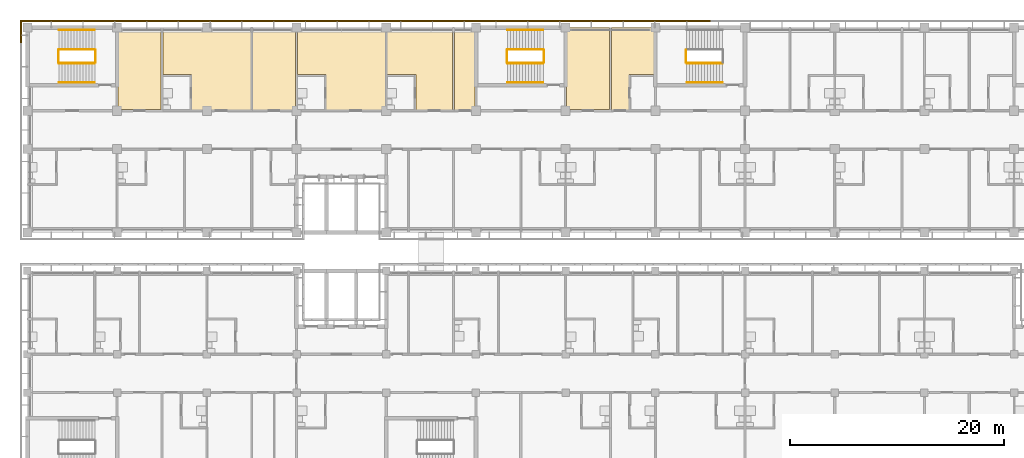
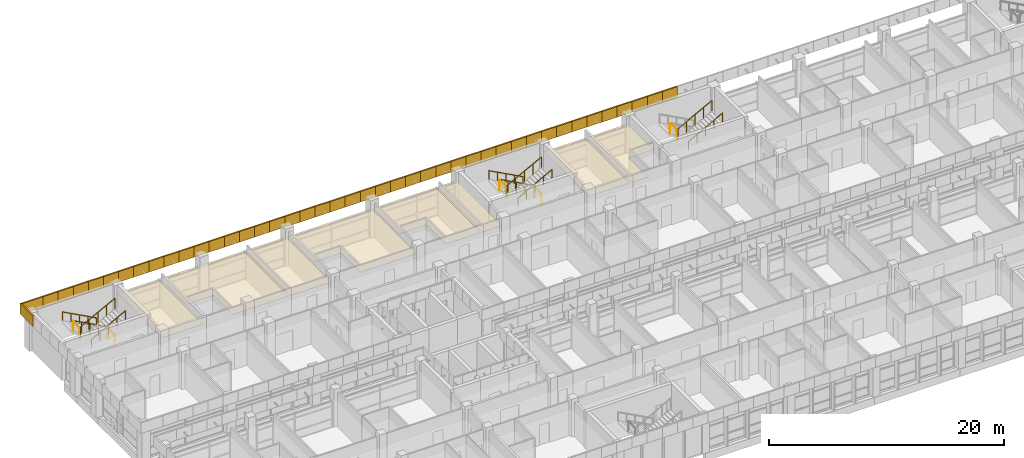
# One storey, part 71 of 74: 52 coverings, 15 railings.
"""IFC4 building model written with IfcOpenShell, lengths in metres."""

from ifc_helpers import new_model, si_unit, direction, frame, origin, origin_2d, place, context, subcontext, project, spatial, polyline, circle, outline, extrude, material, layer, layer_set, type_object, element, save


model = new_model("IFC4")

# Units and contexts
model_context = context("Model", 3, precision=1e-05, world=origin(), true_north=direction((0.0, 1.0)))
body_context = subcontext(model_context, "Body", "Model", "MODEL_VIEW")
ifc_project = project(units=[si_unit("LENGTHUNIT", "METRE"), si_unit("AREAUNIT", "SQUARE_METRE"), si_unit("VOLUMEUNIT", "CUBIC_METRE"), si_unit("PLANEANGLEUNIT", "RADIAN"), si_unit("MASSUNIT", "GRAM", prefix="KILO")], contexts=[model_context])

# Site, building, storey
site_placement = place(None, origin())
site = spatial("IfcSite", under=ifc_project, at=site_placement, CompositionType="ELEMENT")
building_placement = place(site_placement, origin())
building = spatial("IfcBuilding", under=site, at=building_placement, Name="Bougainvillea Quay General Hospital", CompositionType="ELEMENT")
storey_placement = place(building_placement, frame((0.0, 0.0, 21.0)))
storey = spatial("IfcBuildingStorey", under=building, at=storey_placement, Name="L04", CompositionType="ELEMENT", Elevation=21.0)

# Coverings
ifc_material_1 = material(Name="Powder-coated aluminium fascia, white", Category="aluminium")
ifc_layer_1 = layer(ifc_material_1, 0.14990234375)
ifc_layer_set_1 = layer_set([ifc_layer_1], Name="Powder-coated aluminium fascia, white")
covering_type_1 = type_object("IfcCoveringType", Name="Aluminium fascia band white 150x1100", PredefinedType="CLADDING", material=ifc_layer_set_1)
covering_1_placement = place(storey_placement, frame((105.96240234375, 160.14990234375, 3.35009765625), z_axis=(0.0, 0.0, 1.0), x_axis=(-1.0, 0.0, 0.0)))
element("IfcCovering", 1, at=covering_1_placement, inside=storey, type_object=covering_type_1, Name="Fascia band white e0 54", PredefinedType="CLADDING", context=body_context, shape_type="SweptSolid", body=[
    extrude(outline(polyline([(0.0, 0.0), (1.4873046875, 0.0), (1.4873046875, -0.150146484375), (0.0, -0.150146484375), (0.0, 0.0)])), origin(), (0.0, 0.0, 1.0), 1.10009765625),
])
for number, where, z_axis, x_axis, name in (
    (2, (104.47509765625, 160.14990234375, 3.35009765625), (0.0, 0.0, 1.0), (-1.0, 0.0, 0.0), "Fascia band white e0 55"),
    (3, (102.987548828125, 160.14990234375, 3.35009765625), (0.0, 0.0, 1.0), (-1.0, 0.0, 0.0), "Fascia band white e0 56"),
    (4, (101.5, 160.14990234375, 3.35009765625), (0.0, 0.0, 1.0), (-1.0, 0.0, 0.0), "Fascia band white e0 57"),
    (5, (100.012451171875, 160.14990234375, 3.35009765625), (0.0, 0.0, 1.0), (-1.0, 0.0, 0.0), "Fascia band white e0 58"),
):
    element("IfcCovering", number, at=place(storey_placement, frame(where, z_axis=z_axis, x_axis=x_axis)), inside=storey, type_object=covering_type_1, Name=name, PredefinedType="CLADDING", context=body_context, shape_type="SweptSolid", body=[
        extrude(outline(polyline([(0.0, 0.0), (1.487548828125, 0.0), (1.487548828125, -0.150146484375), (0.0, -0.150146484375), (0.0, 0.0)])), origin(), (0.0, 0.0, 1.0), 1.10009765625),
    ])
covering_2_placement = place(storey_placement, frame((98.52490234375, 160.14990234375, 3.35009765625), z_axis=(0.0, 0.0, 1.0), x_axis=(-1.0, 0.0, 0.0)))
element("IfcCovering", 6, at=covering_2_placement, inside=storey, type_object=covering_type_1, Name="Fascia band white e0 59", PredefinedType="CLADDING", context=body_context, shape_type="SweptSolid", body=[
    extrude(outline(polyline([(0.0, 0.0), (1.4873046875, 0.0), (1.4873046875, -0.150146484375), (0.0, -0.150146484375), (0.0, 0.0)])), origin(), (0.0, 0.0, 1.0), 1.10009765625),
])
for number, where, z_axis, x_axis, name in (
    (7, (97.03759765625, 160.14990234375, 3.35009765625), (0.0, 0.0, 1.0), (-1.0, 0.0, 0.0), "Fascia band white e0 60"),
    (8, (95.550048828125, 160.14990234375, 3.35009765625), (0.0, 0.0, 1.0), (-1.0, 0.0, 0.0), "Fascia band white e0 61"),
    (9, (94.0625, 160.14990234375, 3.35009765625), (0.0, 0.0, 1.0), (-1.0, 0.0, 0.0), "Fascia band white e0 62"),
    (10, (92.574951171875, 160.14990234375, 3.35009765625), (0.0, 0.0, 1.0), (-1.0, 0.0, 0.0), "Fascia band white e0 63"),
):
    element("IfcCovering", number, at=place(storey_placement, frame(where, z_axis=z_axis, x_axis=x_axis)), inside=storey, type_object=covering_type_1, Name=name, PredefinedType="CLADDING", context=body_context, shape_type="SweptSolid", body=[
        extrude(outline(polyline([(0.0, 0.0), (1.487548828125, 0.0), (1.487548828125, -0.150146484375), (0.0, -0.150146484375), (0.0, 0.0)])), origin(), (0.0, 0.0, 1.0), 1.10009765625),
    ])
covering_3_placement = place(storey_placement, frame((91.08740234375, 160.14990234375, 3.35009765625), z_axis=(0.0, 0.0, 1.0), x_axis=(-1.0, 0.0, 0.0)))
element("IfcCovering", 11, at=covering_3_placement, inside=storey, type_object=covering_type_1, Name="Fascia band white e0 64", PredefinedType="CLADDING", context=body_context, shape_type="SweptSolid", body=[
    extrude(outline(polyline([(0.0, 0.0), (1.4873046875, 0.0), (1.4873046875, -0.150146484375), (0.0, -0.150146484375), (0.0, 0.0)])), origin(), (0.0, 0.0, 1.0), 1.10009765625),
])
for number, where, z_axis, x_axis, name in (
    (12, (89.60009765625, 160.14990234375, 3.35009765625), (0.0, 0.0, 1.0), (-1.0, 0.0, 0.0), "Fascia band white e0 65"),
    (13, (88.112548828125, 160.14990234375, 3.35009765625), (0.0, 0.0, 1.0), (-1.0, 0.0, 0.0), "Fascia band white e0 66"),
    (14, (86.625, 160.14990234375, 3.35009765625), (0.0, 0.0, 1.0), (-1.0, 0.0, 0.0), "Fascia band white e0 67"),
    (15, (85.137451171875, 160.14990234375, 3.35009765625), (0.0, 0.0, 1.0), (-1.0, 0.0, 0.0), "Fascia band white e0 68"),
):
    element("IfcCovering", number, at=place(storey_placement, frame(where, z_axis=z_axis, x_axis=x_axis)), inside=storey, type_object=covering_type_1, Name=name, PredefinedType="CLADDING", context=body_context, shape_type="SweptSolid", body=[
        extrude(outline(polyline([(0.0, 0.0), (1.487548828125, 0.0), (1.487548828125, -0.150146484375), (0.0, -0.150146484375), (0.0, 0.0)])), origin(), (0.0, 0.0, 1.0), 1.10009765625),
    ])
covering_4_placement = place(storey_placement, frame((83.64990234375, 160.14990234375, 3.35009765625), z_axis=(0.0, 0.0, 1.0), x_axis=(-1.0, 0.0, 0.0)))
element("IfcCovering", 16, at=covering_4_placement, inside=storey, type_object=covering_type_1, Name="Fascia band white e0 69", PredefinedType="CLADDING", context=body_context, shape_type="SweptSolid", body=[
    extrude(outline(polyline([(0.0, 0.0), (1.4873046875, 0.0), (1.4873046875, -0.150146484375), (0.0, -0.150146484375), (0.0, 0.0)])), origin(), (0.0, 0.0, 1.0), 1.10009765625),
])
for number, where, z_axis, x_axis, name in (
    (17, (82.16259765625, 160.14990234375, 3.35009765625), (0.0, 0.0, 1.0), (-1.0, 0.0, 0.0), "Fascia band white e0 70"),
    (18, (80.675048828125, 160.14990234375, 3.35009765625), (0.0, 0.0, 1.0), (-1.0, 0.0, 0.0), "Fascia band white e0 71"),
    (19, (79.1875, 160.14990234375, 3.35009765625), (0.0, 0.0, 1.0), (-1.0, 0.0, 0.0), "Fascia band white e0 72"),
    (20, (77.699951171875, 160.14990234375, 3.35009765625), (0.0, 0.0, 1.0), (-1.0, 0.0, 0.0), "Fascia band white e0 73"),
):
    element("IfcCovering", number, at=place(storey_placement, frame(where, z_axis=z_axis, x_axis=x_axis)), inside=storey, type_object=covering_type_1, Name=name, PredefinedType="CLADDING", context=body_context, shape_type="SweptSolid", body=[
        extrude(outline(polyline([(0.0, 0.0), (1.487548828125, 0.0), (1.487548828125, -0.150146484375), (0.0, -0.150146484375), (0.0, 0.0)])), origin(), (0.0, 0.0, 1.0), 1.10009765625),
    ])
covering_5_placement = place(storey_placement, frame((76.21240234375, 160.14990234375, 3.35009765625), z_axis=(0.0, 0.0, 1.0), x_axis=(-1.0, 0.0, 0.0)))
element("IfcCovering", 21, at=covering_5_placement, inside=storey, type_object=covering_type_1, Name="Fascia band white e0 74", PredefinedType="CLADDING", context=body_context, shape_type="SweptSolid", body=[
    extrude(outline(polyline([(0.0, 0.0), (1.4873046875, 0.0), (1.4873046875, -0.150146484375), (0.0, -0.150146484375), (0.0, 0.0)])), origin(), (0.0, 0.0, 1.0), 1.10009765625),
])
for number, where, z_axis, x_axis, name in (
    (22, (74.72509765625, 160.14990234375, 3.35009765625), (0.0, 0.0, 1.0), (-1.0, 0.0, 0.0), "Fascia band white e0 75"),
    (23, (73.237548828125, 160.14990234375, 3.35009765625), (0.0, 0.0, 1.0), (-1.0, 0.0, 0.0), "Fascia band white e0 76"),
    (24, (71.75, 160.14990234375, 3.35009765625), (0.0, 0.0, 1.0), (-1.0, 0.0, 0.0), "Fascia band white e0 77"),
    (25, (70.262451171875, 160.14990234375, 3.35009765625), (0.0, 0.0, 1.0), (-1.0, 0.0, 0.0), "Fascia band white e0 78"),
):
    element("IfcCovering", number, at=place(storey_placement, frame(where, z_axis=z_axis, x_axis=x_axis)), inside=storey, type_object=covering_type_1, Name=name, PredefinedType="CLADDING", context=body_context, shape_type="SweptSolid", body=[
        extrude(outline(polyline([(0.0, 0.0), (1.487548828125, 0.0), (1.487548828125, -0.150146484375), (0.0, -0.150146484375), (0.0, 0.0)])), origin(), (0.0, 0.0, 1.0), 1.10009765625),
    ])
covering_6_placement = place(storey_placement, frame((68.77490234375, 160.14990234375, 3.35009765625), z_axis=(0.0, 0.0, 1.0), x_axis=(-1.0, 0.0, 0.0)))
element("IfcCovering", 26, at=covering_6_placement, inside=storey, type_object=covering_type_1, Name="Fascia band white e0 79", PredefinedType="CLADDING", context=body_context, shape_type="SweptSolid", body=[
    extrude(outline(polyline([(0.0, 0.0), (1.4873046875, 0.0), (1.4873046875, -0.150146484375), (0.0, -0.150146484375), (0.0, 0.0)])), origin(), (0.0, 0.0, 1.0), 1.10009765625),
])
for number, where, z_axis, x_axis, name in (
    (27, (67.28759765625, 160.14990234375, 3.35009765625), (0.0, 0.0, 1.0), (-1.0, 0.0, 0.0), "Fascia band white e0 80"),
    (28, (65.800048828125, 160.14990234375, 3.35009765625), (0.0, 0.0, 1.0), (-1.0, 0.0, 0.0), "Fascia band white e0 81"),
    (29, (64.3125, 160.14990234375, 3.35009765625), (0.0, 0.0, 1.0), (-1.0, 0.0, 0.0), "Fascia band white e0 82"),
    (30, (62.824951171875, 160.14990234375, 3.35009765625), (0.0, 0.0, 1.0), (-1.0, 0.0, 0.0), "Fascia band white e0 83"),
):
    element("IfcCovering", number, at=place(storey_placement, frame(where, z_axis=z_axis, x_axis=x_axis)), inside=storey, type_object=covering_type_1, Name=name, PredefinedType="CLADDING", context=body_context, shape_type="SweptSolid", body=[
        extrude(outline(polyline([(0.0, 0.0), (1.487548828125, 0.0), (1.487548828125, -0.150146484375), (0.0, -0.150146484375), (0.0, 0.0)])), origin(), (0.0, 0.0, 1.0), 1.10009765625),
    ])
covering_7_placement = place(storey_placement, frame((61.33740234375, 160.14990234375, 3.35009765625), z_axis=(0.0, 0.0, 1.0), x_axis=(-1.0, 0.0, 0.0)))
element("IfcCovering", 31, at=covering_7_placement, inside=storey, type_object=covering_type_1, Name="Fascia band white e0 84", PredefinedType="CLADDING", context=body_context, shape_type="SweptSolid", body=[
    extrude(outline(polyline([(0.0, 0.0), (1.4873046875, 0.0), (1.4873046875, -0.150146484375), (0.0, -0.150146484375), (0.0, 0.0)])), origin(), (0.0, 0.0, 1.0), 1.10009765625),
])
for number, where, z_axis, x_axis, name in (
    (32, (59.85009765625, 160.14990234375, 3.35009765625), (0.0, 0.0, 1.0), (-1.0, 0.0, 0.0), "Fascia band white e0 85"),
    (33, (58.362548828125, 160.14990234375, 3.35009765625), (0.0, 0.0, 1.0), (-1.0, 0.0, 0.0), "Fascia band white e0 86"),
    (34, (56.875, 160.14990234375, 3.35009765625), (0.0, 0.0, 1.0), (-1.0, 0.0, 0.0), "Fascia band white e0 87"),
    (35, (55.387451171875, 160.14990234375, 3.35009765625), (0.0, 0.0, 1.0), (-1.0, 0.0, 0.0), "Fascia band white e0 88"),
):
    element("IfcCovering", number, at=place(storey_placement, frame(where, z_axis=z_axis, x_axis=x_axis)), inside=storey, type_object=covering_type_1, Name=name, PredefinedType="CLADDING", context=body_context, shape_type="SweptSolid", body=[
        extrude(outline(polyline([(0.0, 0.0), (1.487548828125, 0.0), (1.487548828125, -0.150146484375), (0.0, -0.150146484375), (0.0, 0.0)])), origin(), (0.0, 0.0, 1.0), 1.10009765625),
    ])
covering_8_placement = place(storey_placement, frame((53.89990234375, 160.14990234375, 3.35009765625), z_axis=(0.0, 0.0, 1.0), x_axis=(-1.0, 0.0, 0.0)))
element("IfcCovering", 36, at=covering_8_placement, inside=storey, type_object=covering_type_1, Name="Fascia band white e0 89", PredefinedType="CLADDING", context=body_context, shape_type="SweptSolid", body=[
    extrude(outline(polyline([(0.0, 0.0), (1.4873046875, 0.0), (1.4873046875, -0.150146484375), (0.0, -0.150146484375), (0.0, 0.0)])), origin(), (0.0, 0.0, 1.0), 1.10009765625),
])
for number, where, z_axis, x_axis, name in (
    (37, (52.41259765625, 160.14990234375, 3.35009765625), (0.0, 0.0, 1.0), (-1.0, 0.0, 0.0), "Fascia band white e0 90"),
    (38, (50.925048828125, 160.14990234375, 3.35009765625), (0.0, 0.0, 1.0), (-1.0, 0.0, 0.0), "Fascia band white e0 91"),
    (39, (49.4375, 160.14990234375, 3.35009765625), (0.0, 0.0, 1.0), (-1.0, 0.0, 0.0), "Fascia band white e0 92"),
    (40, (47.949951171875, 160.14990234375, 3.35009765625), (0.0, 0.0, 1.0), (-1.0, 0.0, 0.0), "Fascia band white e0 93"),
):
    element("IfcCovering", number, at=place(storey_placement, frame(where, z_axis=z_axis, x_axis=x_axis)), inside=storey, type_object=covering_type_1, Name=name, PredefinedType="CLADDING", context=body_context, shape_type="SweptSolid", body=[
        extrude(outline(polyline([(0.0, 0.0), (1.487548828125, 0.0), (1.487548828125, -0.150146484375), (0.0, -0.150146484375), (0.0, 0.0)])), origin(), (0.0, 0.0, 1.0), 1.10009765625),
    ])
covering_9_placement = place(storey_placement, frame((46.46240234375, 160.14990234375, 3.35009765625), z_axis=(0.0, 0.0, 1.0), x_axis=(-1.0, 0.0, 0.0)))
element("IfcCovering", 41, at=covering_9_placement, inside=storey, type_object=covering_type_1, Name="Fascia band white e0 94", PredefinedType="CLADDING", context=body_context, shape_type="SweptSolid", body=[
    extrude(outline(polyline([(0.0, 0.0), (1.4873046875, 0.0), (1.4873046875, -0.150146484375), (0.0, -0.150146484375), (0.0, 0.0)])), origin(), (0.0, 0.0, 1.0), 1.10009765625),
])
covering_10_placement = place(storey_placement, frame((44.97509765625, 160.14990234375, 3.35009765625), z_axis=(0.0, 0.0, 1.0), x_axis=(-1.0, 0.0, 0.0)))
element("IfcCovering", 42, at=covering_10_placement, inside=storey, type_object=covering_type_1, Name="Fascia band white e0 95", PredefinedType="CLADDING", context=body_context, shape_type="SweptSolid", body=[
    extrude(outline(polyline([(0.0, 0.0), (1.487548828125, 0.0), (1.487548828125, -0.150146484375), (0.0, -0.150146484375), (0.0, 0.0)])), origin(), (0.0, 0.0, 1.0), 1.10009765625),
])
covering_11_placement = place(storey_placement, frame((43.487548828125, 160.14990234375, 3.35009765625), z_axis=(0.0, 0.0, 1.0), x_axis=(-1.0, 0.0, 0.0)))
element("IfcCovering", 43, at=covering_11_placement, inside=storey, type_object=covering_type_1, Name="Fascia band white e0 96", PredefinedType="CLADDING", context=body_context, shape_type="SweptSolid", body=[
    extrude(outline(polyline([(0.0, 0.0), (2.03759765625, 0.0), (2.1875, -0.150146484375), (0.0, -0.150146484375), (0.0, 0.0)])), origin(), (0.0, 0.0, 1.0), 1.10009765625),
])
covering_12_placement = place(storey_placement, frame((41.449951171875, 160.14990234375, 3.35009765625), z_axis=(0.0, 0.0, 1.0), x_axis=(0.0, -1.0, 0.0)))
element("IfcCovering", 44, at=covering_12_placement, inside=storey, type_object=covering_type_1, Name="Fascia band white e0 97", PredefinedType="CLADDING", context=body_context, shape_type="SweptSolid", body=[
    extrude(outline(polyline([(0.0, 0.0), (2.02685546875, 0.0), (2.02685546875, -0.14990234375), (-0.150146484375, -0.14990234375), (0.0, 0.0)])), origin(), (0.0, 0.0, 1.0), 1.10009765625),
])

# Railings
ifc_material_2 = material(Name="Stainless steel 304 balustrade", Category="steel")
railing_type_1 = type_object("IfcRailingType", Name="Stair guard 1100", PredefinedType="GUARDRAIL", material=ifc_material_2)
railing_1_placement = place(storey_placement, frame((48.300048828125, 157.550048828125, 0.14990234375)))
element("IfcRailing", 45, at=railing_1_placement, inside=storey, type_object=railing_type_1, Name="L04 ST-A1 stair guard 1", PredefinedType="GUARDRAIL", context=body_context, shape_type="SweptSolid", body=[
    extrude(circle(Radius=0.02392578125, at=origin_2d()), frame((0.0, 0.0, 1.076171875), z_axis=(-0.881480922165, 0.0, 0.47221963519), x_axis=(0.0, -1.0, 0.0)), (0.0, 0.0, 1.0), 3.811767578125),
    extrude(circle(Radius=0.02099609375, at=origin_2d()), origin(), (0.0, 0.0, 1.0), 1.052001953125),
    extrude(circle(Radius=0.02099609375, at=origin_2d()), frame((-0.840087890625, 0.0, 0.449951171875)), (0.0, 0.0, 1.0), 1.052001953125),
    extrude(circle(Radius=0.02099609375, at=origin_2d()), frame((-1.68017578125, 0.0, 0.89990234375)), (0.0, 0.0, 1.0), 1.052001953125),
    extrude(circle(Radius=0.02099609375, at=origin_2d()), frame((-2.52001953125, 0.0, 1.35009765625)), (0.0, 0.0, 1.0), 1.052001953125),
    extrude(circle(Radius=0.02099609375, at=origin_2d()), frame((-3.360107421875, 0.0, 1.800048828125)), (0.0, 0.0, 1.0), 1.052001953125),
])
railing_2_placement = place(storey_placement, frame((44.889892578125, 157.5, 1.949951171875)))
element("IfcRailing", 46, at=railing_2_placement, inside=storey, type_object=railing_type_1, Name="L04 ST-A1 stair guard 2", PredefinedType="GUARDRAIL", context=body_context, shape_type="SweptSolid", body=[
    extrude(circle(Radius=0.02392578125, at=origin_2d()), frame((0.0, 0.0, 1.076171875), z_axis=(0.0, -1.0, 0.0), x_axis=(1.0, 0.0, 0.0)), (0.0, 0.0, 1.0), 1.199951171875),
    extrude(circle(Radius=0.02099609375, at=origin_2d()), origin(), (0.0, 0.0, 1.0), 1.052001953125),
    extrude(circle(Radius=0.02099609375, at=origin_2d()), frame((0.0, -1.199951171875, 0.0)), (0.0, 0.0, 1.0), 1.052001953125),
])
railing_3_placement = place(storey_placement, frame((44.93994140625, 156.25, 2.10009765625)))
element("IfcRailing", 47, at=railing_3_placement, inside=storey, type_object=railing_type_1, Name="L04 ST-A1 stair guard 3", PredefinedType="GUARDRAIL", context=body_context, shape_type="SweptSolid", body=[
    extrude(circle(Radius=0.02392578125, at=origin_2d()), frame((0.0, 0.0, 1.076171875), z_axis=(0.881507581359, 0.0, 0.472169867745), x_axis=(0.0, 1.0, 0.0)), (0.0, 0.0, 1.0), 3.811767578125),
    extrude(circle(Radius=0.02099609375, at=origin_2d()), origin(), (0.0, 0.0, 1.0), 1.052001953125),
    extrude(circle(Radius=0.02099609375, at=origin_2d()), frame((0.840087890625, 0.0, 0.449951171875)), (0.0, 0.0, 1.0), 1.052001953125),
    extrude(circle(Radius=0.02099609375, at=origin_2d()), frame((1.68017578125, 0.0, 0.89990234375)), (0.0, 0.0, 1.0), 1.052001953125),
    extrude(circle(Radius=0.02099609375, at=origin_2d()), frame((2.52001953125, 0.0, 1.349853515625)), (0.0, 0.0, 1.0), 1.052001953125),
    extrude(circle(Radius=0.02099609375, at=origin_2d()), frame((3.360107421875, 0.0, 1.7998046875)), (0.0, 0.0, 1.0), 1.052001953125),
])
railing_4_placement = place(storey_placement, frame((48.35009765625, 157.5, 0.0)))
element("IfcRailing", 48, at=railing_4_placement, inside=storey, type_object=railing_type_1, Name="L04 ST-A1 stair guard 4", PredefinedType="GUARDRAIL", context=body_context, shape_type="SweptSolid", body=[
    extrude(circle(Radius=0.02392578125, at=origin_2d()), frame((0.0, 0.0, 1.076171875), z_axis=(0.0, -1.0, 0.0), x_axis=(1.0, 0.0, 0.0)), (0.0, 0.0, 1.0), 1.199951171875),
    extrude(circle(Radius=0.02099609375, at=origin_2d()), origin(), (0.0, 0.0, 1.0), 1.052001953125),
    extrude(circle(Radius=0.02099609375, at=origin_2d()), frame((0.0, -1.199951171875, 0.0)), (0.0, 0.0, 1.0), 1.052001953125),
])
railing_5_placement = place(storey_placement, frame((90.300048828125, 157.550048828125, 0.14990234375)))
element("IfcRailing", 49, at=railing_5_placement, inside=storey, type_object=railing_type_1, Name="L04 ST-A2 stair guard 1", PredefinedType="GUARDRAIL", context=body_context, shape_type="SweptSolid", body=[
    extrude(circle(Radius=0.02392578125, at=origin_2d()), frame((0.0, 0.0, 1.076171875), z_axis=(-0.881480922165, 0.0, 0.47221963519), x_axis=(0.0, -1.0, 0.0)), (0.0, 0.0, 1.0), 3.811767578125),
    extrude(circle(Radius=0.02099609375, at=origin_2d()), origin(), (0.0, 0.0, 1.0), 1.052001953125),
    extrude(circle(Radius=0.02099609375, at=origin_2d()), frame((-0.840087890625, 0.0, 0.449951171875)), (0.0, 0.0, 1.0), 1.052001953125),
    extrude(circle(Radius=0.02099609375, at=origin_2d()), frame((-1.68017578125, 0.0, 0.89990234375)), (0.0, 0.0, 1.0), 1.052001953125),
    extrude(circle(Radius=0.02099609375, at=origin_2d()), frame((-2.52001953125, 0.0, 1.35009765625)), (0.0, 0.0, 1.0), 1.052001953125),
    extrude(circle(Radius=0.02099609375, at=origin_2d()), frame((-3.360107421875, 0.0, 1.800048828125)), (0.0, 0.0, 1.0), 1.052001953125),
])
railing_6_placement = place(storey_placement, frame((86.889892578125, 157.5, 1.949951171875)))
element("IfcRailing", 50, at=railing_6_placement, inside=storey, type_object=railing_type_1, Name="L04 ST-A2 stair guard 2", PredefinedType="GUARDRAIL", context=body_context, shape_type="SweptSolid", body=[
    extrude(circle(Radius=0.02392578125, at=origin_2d()), frame((0.0, 0.0, 1.076171875), z_axis=(0.0, -1.0, 0.0), x_axis=(1.0, 0.0, 0.0)), (0.0, 0.0, 1.0), 1.199951171875),
    extrude(circle(Radius=0.02099609375, at=origin_2d()), origin(), (0.0, 0.0, 1.0), 1.052001953125),
    extrude(circle(Radius=0.02099609375, at=origin_2d()), frame((0.0, -1.199951171875, 0.0)), (0.0, 0.0, 1.0), 1.052001953125),
])
railing_7_placement = place(storey_placement, frame((86.93994140625, 156.25, 2.10009765625)))
element("IfcRailing", 51, at=railing_7_placement, inside=storey, type_object=railing_type_1, Name="L04 ST-A2 stair guard 3", PredefinedType="GUARDRAIL", context=body_context, shape_type="SweptSolid", body=[
    extrude(circle(Radius=0.02392578125, at=origin_2d()), frame((0.0, 0.0, 1.076171875), z_axis=(0.881507581359, 0.0, 0.472169867745), x_axis=(0.0, 1.0, 0.0)), (0.0, 0.0, 1.0), 3.811767578125),
    extrude(circle(Radius=0.02099609375, at=origin_2d()), origin(), (0.0, 0.0, 1.0), 1.052001953125),
    extrude(circle(Radius=0.02099609375, at=origin_2d()), frame((0.840087890625, 0.0, 0.449951171875)), (0.0, 0.0, 1.0), 1.052001953125),
    extrude(circle(Radius=0.02099609375, at=origin_2d()), frame((1.68017578125, 0.0, 0.89990234375)), (0.0, 0.0, 1.0), 1.052001953125),
    extrude(circle(Radius=0.02099609375, at=origin_2d()), frame((2.52001953125, 0.0, 1.349853515625)), (0.0, 0.0, 1.0), 1.052001953125),
    extrude(circle(Radius=0.02099609375, at=origin_2d()), frame((3.360107421875, 0.0, 1.7998046875)), (0.0, 0.0, 1.0), 1.052001953125),
])
for number, where, name in (
    (52, (90.35009765625, 157.5, 0.0), "L04 ST-A2 stair guard 4"),
    (53, (103.68994140625, 157.5, 1.949951171875), "L04 ST-A5 stair guard 2"),
):
    element("IfcRailing", number, at=place(storey_placement, frame(where)), inside=storey, type_object=railing_type_1, Name=name, PredefinedType="GUARDRAIL", context=body_context, shape_type="SweptSolid", body=[
        extrude(circle(Radius=0.02392578125, at=origin_2d()), frame((0.0, 0.0, 1.076171875), z_axis=(0.0, -1.0, 0.0), x_axis=(1.0, 0.0, 0.0)), (0.0, 0.0, 1.0), 1.199951171875),
        extrude(circle(Radius=0.02099609375, at=origin_2d()), origin(), (0.0, 0.0, 1.0), 1.052001953125),
        extrude(circle(Radius=0.02099609375, at=origin_2d()), frame((0.0, -1.199951171875, 0.0)), (0.0, 0.0, 1.0), 1.052001953125),
    ])
railing_8_placement = place(storey_placement, frame((103.739990234375, 156.25, 2.10009765625)))
element("IfcRailing", 54, at=railing_8_placement, inside=storey, type_object=railing_type_1, Name="L04 ST-A5 stair guard 3", PredefinedType="GUARDRAIL", context=body_context, shape_type="SweptSolid", body=[
    extrude(circle(Radius=0.02392578125, at=origin_2d()), frame((0.0, 0.0, 1.076171875), z_axis=(0.881507581359, 0.0, 0.472169867745), x_axis=(0.0, 1.0, 0.0)), (0.0, 0.0, 1.0), 3.811767578125),
    extrude(circle(Radius=0.02099609375, at=origin_2d()), origin(), (0.0, 0.0, 1.0), 1.052001953125),
    extrude(circle(Radius=0.02099609375, at=origin_2d()), frame((0.840087890625, 0.0, 0.449951171875)), (0.0, 0.0, 1.0), 1.052001953125),
    extrude(circle(Radius=0.02099609375, at=origin_2d()), frame((1.68017578125, 0.0, 0.89990234375)), (0.0, 0.0, 1.0), 1.052001953125),
    extrude(circle(Radius=0.02099609375, at=origin_2d()), frame((2.52001953125, 0.0, 1.349853515625)), (0.0, 0.0, 1.0), 1.052001953125),
    extrude(circle(Radius=0.02099609375, at=origin_2d()), frame((3.360107421875, 0.0, 1.7998046875)), (0.0, 0.0, 1.0), 1.052001953125),
])
ifc_material_3 = material(Name="Stainless steel 304 handrail", Category="steel")
railing_type_2 = type_object("IfcRailingType", Name="Stair handrail 900", PredefinedType="HANDRAIL", material=ifc_material_3)
railing_9_placement = place(storey_placement, frame((48.300048828125, 159.375, 0.14990234375)))
element("IfcRailing", 55, at=railing_9_placement, inside=storey, type_object=railing_type_2, Name="L04 ST-A1 stair handrail 1", PredefinedType="HANDRAIL", context=body_context, shape_type="SweptSolid", body=[
    extrude(circle(Radius=0.02392578125, at=origin_2d()), frame((0.0, 0.0, 0.8759765625), z_axis=(-0.881480922165, 0.0, 0.47221963519), x_axis=(0.0, -1.0, 0.0)), (0.0, 0.0, 1.0), 3.811767578125),
    extrude(circle(Radius=0.02099609375, at=origin_2d()), origin(), (0.0, 0.0, 1.0), 0.851806640625),
    extrude(circle(Radius=0.02099609375, at=origin_2d()), frame((-0.840087890625, 0.0, 0.449951171875)), (0.0, 0.0, 1.0), 0.851806640625),
    extrude(circle(Radius=0.02099609375, at=origin_2d()), frame((-1.68017578125, 0.0, 0.89990234375)), (0.0, 0.0, 1.0), 0.851806640625),
    extrude(circle(Radius=0.02099609375, at=origin_2d()), frame((-2.52001953125, 0.0, 1.35009765625)), (0.0, 0.0, 1.0), 0.851806640625),
    extrude(circle(Radius=0.02099609375, at=origin_2d()), frame((-3.360107421875, 0.0, 1.800048828125)), (0.0, 0.0, 1.0), 0.851806640625),
])
railing_10_placement = place(storey_placement, frame((44.93994140625, 154.425048828125, 2.10009765625)))
element("IfcRailing", 56, at=railing_10_placement, inside=storey, type_object=railing_type_2, Name="L04 ST-A1 stair handrail 2", PredefinedType="HANDRAIL", context=body_context, shape_type="SweptSolid", body=[
    extrude(circle(Radius=0.02392578125, at=origin_2d()), frame((0.0, 0.0, 0.8759765625), z_axis=(0.881507581359, 0.0, 0.472169867745), x_axis=(0.0, 1.0, 0.0)), (0.0, 0.0, 1.0), 3.811767578125),
    extrude(circle(Radius=0.02099609375, at=origin_2d()), origin(), (0.0, 0.0, 1.0), 0.851806640625),
    extrude(circle(Radius=0.02099609375, at=origin_2d()), frame((0.840087890625, 0.0, 0.449951171875)), (0.0, 0.0, 1.0), 0.851806640625),
    extrude(circle(Radius=0.02099609375, at=origin_2d()), frame((1.68017578125, 0.0, 0.89990234375)), (0.0, 0.0, 1.0), 0.851806640625),
    extrude(circle(Radius=0.02099609375, at=origin_2d()), frame((2.52001953125, 0.0, 1.349853515625)), (0.0, 0.0, 1.0), 0.851806640625),
    extrude(circle(Radius=0.02099609375, at=origin_2d()), frame((3.360107421875, 0.0, 1.7998046875)), (0.0, 0.0, 1.0), 0.851806640625),
])
railing_11_placement = place(storey_placement, frame((90.300048828125, 159.375, 0.14990234375)))
element("IfcRailing", 57, at=railing_11_placement, inside=storey, type_object=railing_type_2, Name="L04 ST-A2 stair handrail 1", PredefinedType="HANDRAIL", context=body_context, shape_type="SweptSolid", body=[
    extrude(circle(Radius=0.02392578125, at=origin_2d()), frame((0.0, 0.0, 0.8759765625), z_axis=(-0.881480922165, 0.0, 0.47221963519), x_axis=(0.0, -1.0, 0.0)), (0.0, 0.0, 1.0), 3.811767578125),
    extrude(circle(Radius=0.02099609375, at=origin_2d()), origin(), (0.0, 0.0, 1.0), 0.851806640625),
    extrude(circle(Radius=0.02099609375, at=origin_2d()), frame((-0.840087890625, 0.0, 0.449951171875)), (0.0, 0.0, 1.0), 0.851806640625),
    extrude(circle(Radius=0.02099609375, at=origin_2d()), frame((-1.68017578125, 0.0, 0.89990234375)), (0.0, 0.0, 1.0), 0.851806640625),
    extrude(circle(Radius=0.02099609375, at=origin_2d()), frame((-2.52001953125, 0.0, 1.35009765625)), (0.0, 0.0, 1.0), 0.851806640625),
    extrude(circle(Radius=0.02099609375, at=origin_2d()), frame((-3.360107421875, 0.0, 1.800048828125)), (0.0, 0.0, 1.0), 0.851806640625),
])
for number, where, name in (
    (58, (86.93994140625, 154.425048828125, 2.10009765625), "L04 ST-A2 stair handrail 2"),
    (59, (103.739990234375, 154.425048828125, 2.10009765625), "L04 ST-A5 stair handrail 2"),
):
    element("IfcRailing", number, at=place(storey_placement, frame(where)), inside=storey, type_object=railing_type_2, Name=name, PredefinedType="HANDRAIL", context=body_context, shape_type="SweptSolid", body=[
        extrude(circle(Radius=0.02392578125, at=origin_2d()), frame((0.0, 0.0, 0.8759765625), z_axis=(0.881507581359, 0.0, 0.472169867745), x_axis=(0.0, 1.0, 0.0)), (0.0, 0.0, 1.0), 3.811767578125),
        extrude(circle(Radius=0.02099609375, at=origin_2d()), origin(), (0.0, 0.0, 1.0), 0.851806640625),
        extrude(circle(Radius=0.02099609375, at=origin_2d()), frame((0.840087890625, 0.0, 0.449951171875)), (0.0, 0.0, 1.0), 0.851806640625),
        extrude(circle(Radius=0.02099609375, at=origin_2d()), frame((1.68017578125, 0.0, 0.89990234375)), (0.0, 0.0, 1.0), 0.851806640625),
        extrude(circle(Radius=0.02099609375, at=origin_2d()), frame((2.52001953125, 0.0, 1.349853515625)), (0.0, 0.0, 1.0), 0.851806640625),
        extrude(circle(Radius=0.02099609375, at=origin_2d()), frame((3.360107421875, 0.0, 1.7998046875)), (0.0, 0.0, 1.0), 0.851806640625),
    ])

# Coverings
ifc_material_4 = material(Name="Mineral fibre ceiling tile")
ifc_layer_2 = layer(ifc_material_4, 0.030029296875)
ifc_layer_set_2 = layer_set([ifc_layer_2], Name="Mineral fibre ceiling tile")
covering_type_2 = type_object("IfcCoveringType", Name="Suspended ceiling mineral fibre tile", PredefinedType="CEILING", material=ifc_layer_set_2)
covering_13_placement = place(storey_placement, frame((0.0, 0.0, 2.699951171875)))
element("IfcCovering", 60, at=covering_13_placement, inside=storey, type_object=covering_type_2, Name="Ceiling Refuge Room RR-A1-L04", PredefinedType="CEILING", context=body_context, shape_type="SweptSolid", body=[
    extrude(outline(polyline([(50.5, 159.60009765625), (50.5, 151.89990234375), (54.5, 151.89990234375), (54.5, 159.60009765625), (50.5, 159.60009765625)])), origin(), (0.0, 0.0, 1.0), 0.030029296875),
])
covering_14_placement = place(storey_placement, frame((0.0, 0.0, 2.699951171875)))
element("IfcCovering", 61, at=covering_14_placement, inside=storey, type_object=covering_type_2, Name="Ceiling Refuge Room RR-A2-L04", PredefinedType="CEILING", context=body_context, shape_type="SweptSolid", body=[
    extrude(outline(polyline([(92.5, 159.60009765625), (92.5, 151.89990234375), (96.5, 151.89990234375), (96.5, 159.60009765625), (92.5, 159.60009765625)])), origin(), (0.0, 0.0, 1.0), 0.030029296875),
])
covering_15_placement = place(storey_placement, frame((0.0, 0.0, 2.699951171875)))
element("IfcCovering", 62, at=covering_15_placement, inside=storey, type_object=covering_type_2, Name="Ceiling Surgical Ward Room 04A05", PredefinedType="CEILING", context=body_context, shape_type="SweptSolid", body=[
    extrude(outline(polyline([(54.699951171875, 159.60009765625), (54.699951171875, 155.175048828125), (57.375, 155.175048828125), (57.375, 151.875), (62.925048828125, 151.875), (62.925048828125, 159.60009765625), (54.699951171875, 159.60009765625)])), origin(), (0.0, 0.0, 1.0), 0.030029296875),
])
covering_16_placement = place(storey_placement, frame((0.0, 0.0, 2.699951171875)))
element("IfcCovering", 63, at=covering_16_placement, inside=storey, type_object=covering_type_2, Name="Ceiling Treatment and Clean Utility Room 04A06", PredefinedType="CEILING", context=body_context, shape_type="SweptSolid", body=[
    extrude(outline(polyline([(63.074951171875, 159.60009765625), (63.074951171875, 151.875), (67.10009765625, 151.875), (67.10009765625, 159.60009765625), (63.074951171875, 159.60009765625)])), origin(), (0.0, 0.0, 1.0), 0.030029296875),
])
covering_17_placement = place(storey_placement, frame((0.0, 0.0, 2.699951171875)))
element("IfcCovering", 64, at=covering_17_placement, inside=storey, type_object=covering_type_2, Name="Ceiling Surgical Ward Room 04A07", PredefinedType="CEILING", context=body_context, shape_type="SweptSolid", body=[
    extrude(outline(polyline([(67.300048828125, 159.60009765625), (67.300048828125, 155.175048828125), (69.97509765625, 155.175048828125), (69.97509765625, 151.875), (75.52490234375, 151.875), (75.52490234375, 159.60009765625), (67.300048828125, 159.60009765625)])), origin(), (0.0, 0.0, 1.0), 0.030029296875),
])
covering_18_placement = place(storey_placement, frame((0.0, 0.0, 2.699951171875)))
element("IfcCovering", 65, at=covering_18_placement, inside=storey, type_object=covering_type_2, Name="Ceiling Two-bed Surgical Room 04A08", PredefinedType="CEILING", context=body_context, shape_type="SweptSolid", body=[
    extrude(outline(polyline([(75.675048828125, 159.60009765625), (75.675048828125, 155.175048828125), (78.375, 155.175048828125), (78.375, 151.875), (81.824951171875, 151.875), (81.824951171875, 159.60009765625), (75.675048828125, 159.60009765625)])), origin(), (0.0, 0.0, 1.0), 0.030029296875),
])
covering_19_placement = place(storey_placement, frame((0.0, 0.0, 2.699951171875)))
element("IfcCovering", 66, at=covering_19_placement, inside=storey, type_object=covering_type_2, Name="Ceiling Dirty Utility and Sluice Room 04A09", PredefinedType="CEILING", context=body_context, shape_type="SweptSolid", body=[
    extrude(outline(polyline([(81.97509765625, 159.60009765625), (81.97509765625, 151.875), (83.89990234375, 151.875), (83.89990234375, 154.300048828125), (83.949951171875, 154.300048828125), (83.949951171875, 159.60009765625), (81.97509765625, 159.60009765625)])), origin(), (0.0, 0.0, 1.0), 0.030029296875),
])
covering_20_placement = place(storey_placement, frame((0.0, 0.0, 2.699951171875)))
element("IfcCovering", 67, at=covering_20_placement, inside=storey, type_object=covering_type_2, Name="Ceiling Post-operative Patient Room 04A16", PredefinedType="CEILING", context=body_context, shape_type="SweptSolid", body=[
    extrude(outline(polyline([(96.699951171875, 159.60009765625), (96.699951171875, 151.875), (98.324951171875, 151.875), (98.324951171875, 155.175048828125), (100.72509765625, 155.175048828125), (100.72509765625, 159.60009765625), (96.699951171875, 159.60009765625)])), origin(), (0.0, 0.0, 1.0), 0.030029296875),
])

save(model, "model.ifc")
